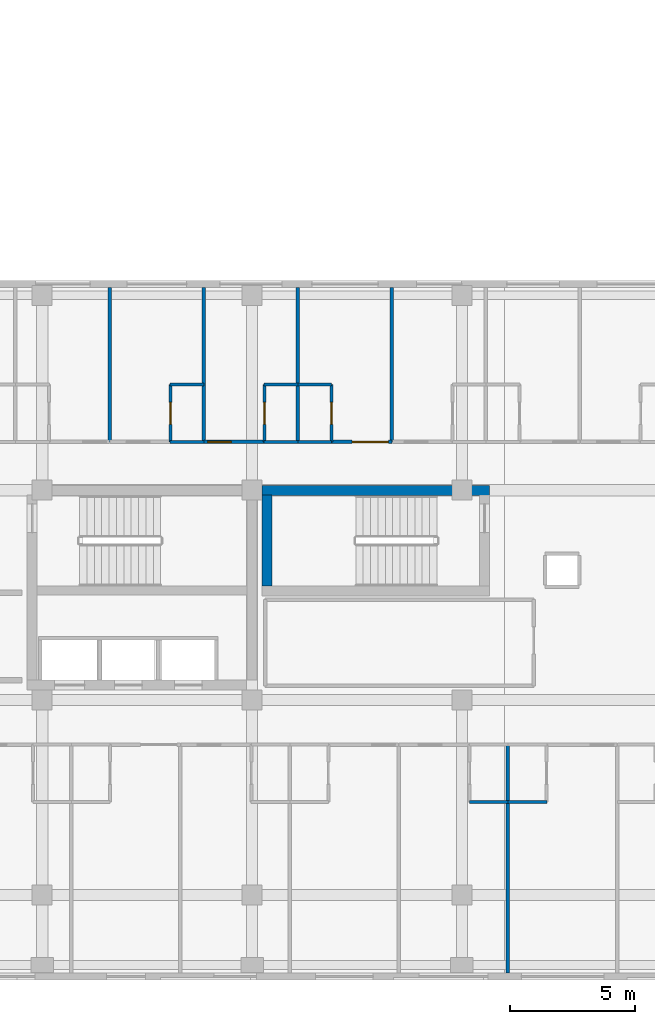
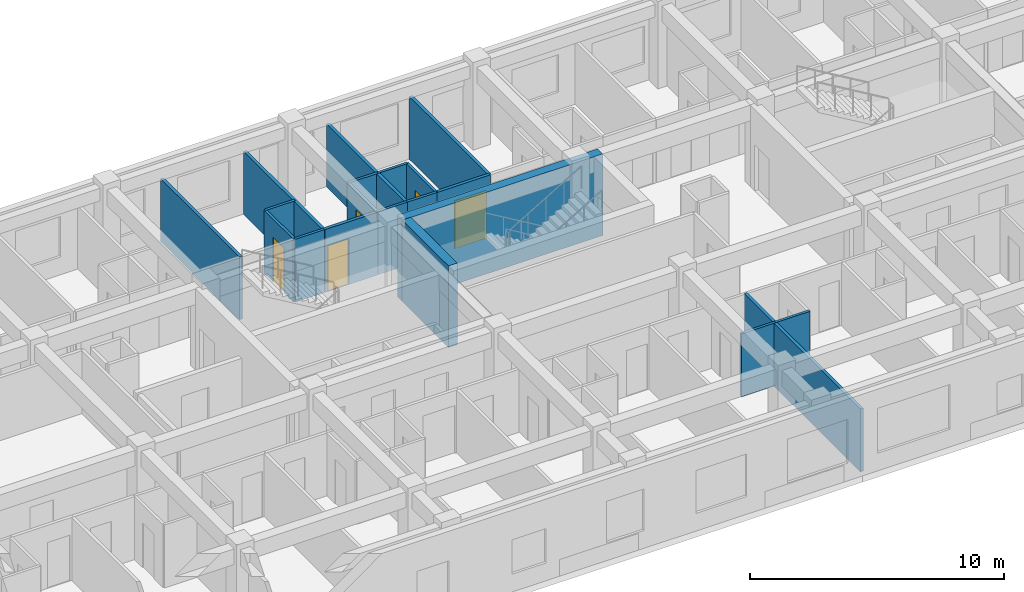
# One storey, part 97 of 127: 20 walls, 5 doors, 5 openings.
"""IFC4 building model written with IfcOpenShell, lengths in metres."""

from ifc_helpers import new_model, si_unit, direction, frame, frame_2d, origin, place, context, subcontext, project, spatial, rectangle, extrude, material, layer, layer_set, type_object, element, fill, save


model = new_model("IFC4")

# Units and contexts
model_context = context("Model", 3, precision=1e-05, world=origin(), true_north=direction((0.0, 1.0)))
body_context = subcontext(model_context, "Body", "Model", "MODEL_VIEW")
ifc_project = project(units=[si_unit("LENGTHUNIT", "METRE"), si_unit("AREAUNIT", "SQUARE_METRE"), si_unit("VOLUMEUNIT", "CUBIC_METRE"), si_unit("PLANEANGLEUNIT", "RADIAN"), si_unit("MASSUNIT", "GRAM", prefix="KILO")], contexts=[model_context])

# Site, building, storey
site_placement = place(None, origin())
site = spatial("IfcSite", under=ifc_project, at=site_placement, CompositionType="ELEMENT")
building_placement = place(site_placement, origin())
building = spatial("IfcBuilding", under=site, at=building_placement, Name="Zayran Congress Hotel", CompositionType="ELEMENT")
storey_placement = place(building_placement, frame((0.0, 0.0, 10.800048828125)))
storey = spatial("IfcBuildingStorey", under=building, at=storey_placement, Name="L02", CompositionType="ELEMENT", Elevation=10.800048828125)

# Walls
ifc_material_1 = material(Name="Concrete C40/50", Category="concrete")
ifc_layer_1 = layer(ifc_material_1, 0.39990234375)
ifc_layer_set_1 = layer_set([ifc_layer_1], Name="Concrete C40/50")
wall_type_1 = type_object("IfcWallType", Name="WL-SH-400", PredefinedType="SHEAR", material=ifc_layer_set_1)
wall_1_placement = place(storey_placement, frame((43.10009765625, 25.5849609375, 0.0), z_axis=(0.0, 0.0, 1.0), x_axis=(-1.0, 0.0, 0.0)))
element("IfcWall", 1, at=wall_1_placement, inside=storey, type_object=wall_type_1, Name="CWALL-C-V5M-L02-N", PredefinedType="SHEAR", context=body_context, shape_type="SweptSolid", body=[
    extrude(rectangle(XDim=9.10009765625, YDim=0.39990234375, at=frame_2d((4.550048828125, 0.0))), origin(), (0.0, 0.0, 1.0), 3.919921875),
])
wall_2_placement = place(storey_placement, frame((34.199951171875, 25.39990234375, 0.0), z_axis=(0.0, 0.0, 1.0), x_axis=(0.0, -1.0, 0.0)))
element("IfcWall", 2, at=wall_2_placement, inside=storey, type_object=wall_type_1, Name="CWALL-C-V5M-L02-W", PredefinedType="SHEAR", context=body_context, shape_type="SweptSolid", body=[
    extrude(rectangle(XDim=3.639892578125, YDim=0.39990234375, at=frame_2d((1.81982421875, 0.0))), origin(), (0.0, 0.0, 1.0), 3.919921875),
])

# Wall, opening, door
ifc_material_2 = material(Name="Hospitality guestroom acoustic partition", Category="gypsum")
ifc_layer_2 = layer(ifc_material_2, 0.139892578125)
ifc_layer_set_2 = layer_set([ifc_layer_2], Name="Hospitality guestroom acoustic partition")
wall_type_2 = type_object("IfcWallType", Name="WL-PT-140", PredefinedType="PARTITIONING", material=ifc_layer_set_2)
wall_3_placement = place(storey_placement, frame((31.68310546875, 27.530029296875, 0.0), z_axis=(0.0, 0.0, 1.0), x_axis=(1.0, 0.0, 0.0)))
wall_3 = element("IfcWall", 3, at=wall_3_placement, inside=storey, type_object=wall_type_2, Name="IW-L02-0540", PredefinedType="PARTITIONING", context=body_context, shape_type="SweptSolid", body=[
    extrude(rectangle(XDim=2.414794921875, YDim=0.139892578125, at=frame_2d((1.20751953125, 0.0))), origin(), (0.0, 0.0, 1.0), 3.02001953125),
])
opening_1_placement = place(wall_3_placement, frame((0.139892578125, 0.0, 0.0)))
opening_1 = element("IfcOpeningElement", 4, at=opening_1_placement, cuts=wall_3, Name="Opening DR-GR-01", PredefinedType="OPENING", context=body_context, shape_type="SweptSolid", body=[
    extrude(rectangle(XDim=0.93994140625, YDim=2.199951171875, at=frame_2d((0.469970703125, 1.10009765625))), frame((0.0, 0.079833984375, 0.0), z_axis=(0.0, -1.0, 0.0), x_axis=(1.0, 0.0, 0.0)), (0.0, 0.0, 1.0), 0.159912109375),
])
ifc_material_3 = material(Name="Acoustic walnut veneer fire-rated entry door", Category="wood")
door_type_1 = type_object("IfcDoorType", Name="TP-DR-GR-01", OperationType="NOTDEFINED", PredefinedType="DOOR", material=ifc_material_3)
door_1_placement = place(opening_1_placement, origin())
door_1 = element("IfcDoor", 5, at=door_1_placement, inside=storey, type_object=door_type_1, Name="Guest Room L02-23 Door", OperationType="SINGLE_SWING_LEFT", OverallHeight=2.199951171875, OverallWidth=0.93994140625, PredefinedType="DOOR", context=body_context, shape_type="SweptSolid", body=[
    extrude(rectangle(XDim=0.93994140625, YDim=2.199951171875, at=frame_2d((0.469970703125, 1.10009765625))), frame((0.0, 0.02490234375, 0.0), z_axis=(0.0, -1.0, 0.0), x_axis=(1.0, 0.0, 0.0)), (0.0, 0.0, 1.0), 0.050048828125),
])
fill(opening_1, door_1)

wall_4_placement = place(storey_placement, frame((36.77587890625, 27.530029296875, 0.0), z_axis=(0.0, 0.0, 1.0), x_axis=(1.0, 0.0, 0.0)))
wall_4 = element("IfcWall", 6, at=wall_4_placement, inside=storey, type_object=wall_type_2, Name="IW-L02-0541", PredefinedType="PARTITIONING", context=body_context, shape_type="SweptSolid", body=[
    extrude(rectangle(XDim=2.4150390625, YDim=0.139892578125, at=frame_2d((1.20751953125, 0.0))), origin(), (0.0, 0.0, 1.0), 3.02001953125),
])
opening_2_placement = place(wall_4_placement, frame((0.824951171875, 0.0, 0.0)))
opening_2 = element("IfcOpeningElement", 7, at=opening_2_placement, cuts=wall_4, Name="Opening DR-ST-01", PredefinedType="OPENING", context=body_context, shape_type="SweptSolid", body=[
    extrude(rectangle(XDim=1.449951171875, YDim=2.300048828125, at=frame_2d((0.72509765625, 1.14990234375))), frame((0.0, 0.079833984375, 0.0), z_axis=(0.0, -1.0, 0.0), x_axis=(1.0, 0.0, 0.0)), (0.0, 0.0, 1.0), 0.159912109375),
])
ifc_material_4 = material(Name="Double walnut veneer suite entry door", Category="wood")
door_type_2 = type_object("IfcDoorType", Name="TP-DR-ST-01", OperationType="DOUBLE_DOOR_SINGLE_SWING", PredefinedType="DOOR", material=ifc_material_4)
door_2_placement = place(opening_2_placement, origin())
door_2 = element("IfcDoor", 8, at=door_2_placement, inside=storey, type_object=door_type_2, Name="Executive Suite L02-24 Door", OperationType="DOUBLE_DOOR_SINGLE_SWING", OverallHeight=2.300048828125, OverallWidth=1.449951171875, PredefinedType="DOOR", context=body_context, shape_type="SweptSolid", body=[
    extrude(rectangle(XDim=1.449951171875, YDim=2.300048828125, at=frame_2d((0.72509765625, 1.14990234375))), frame((0.0, 0.02490234375, 0.0), z_axis=(0.0, -1.0, 0.0), x_axis=(1.0, 0.0, 0.0)), (0.0, 0.0, 1.0), 0.050048828125),
])
fill(opening_2, door_2)

# Walls
wall_5_placement = place(storey_placement, frame((43.8369140625, 6.280029296875, 0.0), z_axis=(0.0, 0.0, 1.0), x_axis=(0.0, 1.0, 0.0)))
element("IfcWall", 9, at=wall_5_placement, inside=storey, type_object=wall_type_2, Name="IW-L02-1839", PredefinedType="PARTITIONING", context=body_context, shape_type="SweptSolid", body=[
    extrude(rectangle(XDim=9.14990234375, YDim=0.139892578125, at=frame_2d((4.574951171875, 0.0))), origin(), (0.0, 0.0, 1.0), 3.02001953125),
])
for number, where, z_axis, x_axis, name in (
    (10, (27.89794921875, 27.52001953125, 0.0), (0.0, 0.0, 1.0), (0.0, 1.0, 0.0), "IW-L02-1853"),
    (11, (31.6630859375, 27.52001953125, 0.0), (0.0, 0.0, 1.0), (0.0, 1.0, 0.0), "IW-L02-1854"),
    (12, (35.427001953125, 27.52001953125, 0.0), (0.0, 0.0, 1.0), (0.0, 1.0, 0.0), "IW-L02-1855"),
    (13, (39.19091796875, 27.52001953125, 0.0), (0.0, 0.0, 1.0), (0.0, 1.0, 0.0), "IW-L02-1856"),
):
    element("IfcWall", number, at=place(storey_placement, frame(where, z_axis=z_axis, x_axis=x_axis)), inside=storey, type_object=wall_type_2, Name=name, PredefinedType="PARTITIONING", context=body_context, shape_type="SweptSolid", body=[
        extrude(rectangle(XDim=6.199951171875, YDim=0.139892578125, at=frame_2d((3.10009765625, 0.0))), origin(), (0.0, 0.0, 1.0), 3.02001953125),
    ])

# Wall, opening, door
ifc_material_5 = material(Name="Moisture-resistant bathroom partition", Category="gypsum")
ifc_layer_3 = layer(ifc_material_5, 0.1201171875)
ifc_layer_set_3 = layer_set([ifc_layer_3], Name="Moisture-resistant bathroom partition")
wall_type_3 = type_object("IfcWallType", Name="WL-PT-120", PredefinedType="PARTITIONING", material=ifc_layer_set_3)
wall_6_placement = place(storey_placement, frame((30.3330078125, 27.52001953125, 0.0), z_axis=(0.0, 0.0, 1.0), x_axis=(0.0, 1.0, 0.0)))
wall_6 = element("IfcWall", 14, at=wall_6_placement, inside=storey, type_object=wall_type_3, Name="IW-L02-0074", PredefinedType="PARTITIONING", context=body_context, shape_type="SweptSolid", body=[
    extrude(rectangle(XDim=2.31005859375, YDim=0.1201171875, at=frame_2d((1.155029296875, 0.0))), origin(), (0.0, 0.0, 1.0), 3.02001953125),
])
opening_3_placement = place(wall_6_placement, frame((0.715087890625, 0.0, 0.0)))
opening_3 = element("IfcOpeningElement", 15, at=opening_3_placement, cuts=wall_6, Name="Opening DR-BT-01", PredefinedType="OPENING", context=body_context, shape_type="SweptSolid", body=[
    extrude(rectangle(XDim=0.8798828125, YDim=2.14990234375, at=frame_2d((0.43994140625, 1.074951171875))), frame((0.0, 0.070068359375, 0.0), z_axis=(0.0, -1.0, 0.0), x_axis=(1.0, 0.0, 0.0)), (0.0, 0.0, 1.0), 0.14013671875),
])
ifc_material_6 = material(Name="Moisture-resistant oak en-suite door", Category="wood")
door_type_3 = type_object("IfcDoorType", Name="TP-DR-BT-01", OperationType="NOTDEFINED", PredefinedType="DOOR", material=ifc_material_6)
door_3_placement = place(opening_3_placement, origin())
door_3 = element("IfcDoor", 16, at=door_3_placement, inside=storey, type_object=door_type_3, Name="En-Suite Bathroom L02-22 Door", OperationType="SINGLE_SWING_LEFT", OverallHeight=2.14990234375, OverallWidth=0.8798828125, PredefinedType="DOOR", context=body_context, shape_type="SweptSolid", body=[
    extrude(rectangle(XDim=0.8798828125, YDim=2.14990234375, at=frame_2d((0.43994140625, 1.074951171875))), frame((0.0, 0.02490234375, 0.0), z_axis=(0.0, -1.0, 0.0), x_axis=(1.0, 0.0, 0.0)), (0.0, 0.0, 1.0), 0.050048828125),
])
fill(opening_3, door_3)

wall_7_placement = place(storey_placement, frame((34.097900390625, 27.52001953125, 0.0), z_axis=(0.0, 0.0, 1.0), x_axis=(0.0, 1.0, 0.0)))
wall_7 = element("IfcWall", 17, at=wall_7_placement, inside=storey, type_object=wall_type_3, Name="IW-L02-0075", PredefinedType="PARTITIONING", context=body_context, shape_type="SweptSolid", body=[
    extrude(rectangle(XDim=2.31005859375, YDim=0.1201171875, at=frame_2d((1.155029296875, 0.0))), origin(), (0.0, 0.0, 1.0), 3.02001953125),
])
opening_4_placement = place(wall_7_placement, frame((0.715087890625, 0.0, 0.0)))
opening_4 = element("IfcOpeningElement", 18, at=opening_4_placement, cuts=wall_7, Name="Opening DR-BT-01", PredefinedType="OPENING", context=body_context, shape_type="SweptSolid", body=[
    extrude(rectangle(XDim=0.8798828125, YDim=2.14990234375, at=frame_2d((0.43994140625, 1.074951171875))), frame((0.0, 0.070068359375, 0.0), z_axis=(0.0, -1.0, 0.0), x_axis=(1.0, 0.0, 0.0)), (0.0, 0.0, 1.0), 0.14013671875),
])
door_4_placement = place(opening_4_placement, origin())
door_4 = element("IfcDoor", 19, at=door_4_placement, inside=storey, type_object=door_type_3, Name="En-Suite Bathroom L02-23 Door", OperationType="SINGLE_SWING_RIGHT", OverallHeight=2.14990234375, OverallWidth=0.8798828125, PredefinedType="DOOR", context=body_context, shape_type="SweptSolid", body=[
    extrude(rectangle(XDim=0.8798828125, YDim=2.14990234375, at=frame_2d((0.43994140625, 1.074951171875))), frame((0.0, 0.02490234375, 0.0), z_axis=(0.0, -1.0, 0.0), x_axis=(1.0, 0.0, 0.0)), (0.0, 0.0, 1.0), 0.050048828125),
])
fill(opening_4, door_4)

wall_8_placement = place(storey_placement, frame((36.77587890625, 27.52001953125, 0.0), z_axis=(0.0, 0.0, 1.0), x_axis=(0.0, 1.0, 0.0)))
wall_8 = element("IfcWall", 20, at=wall_8_placement, inside=storey, type_object=wall_type_3, Name="IW-L02-0076", PredefinedType="PARTITIONING", context=body_context, shape_type="SweptSolid", body=[
    extrude(rectangle(XDim=2.31005859375, YDim=0.1201171875, at=frame_2d((1.155029296875, 0.0))), origin(), (0.0, 0.0, 1.0), 3.02001953125),
])
opening_5_placement = place(wall_8_placement, frame((0.715087890625, 0.0, 0.0)))
opening_5 = element("IfcOpeningElement", 21, at=opening_5_placement, cuts=wall_8, Name="Opening DR-BT-01", PredefinedType="OPENING", context=body_context, shape_type="SweptSolid", body=[
    extrude(rectangle(XDim=0.8798828125, YDim=2.14990234375, at=frame_2d((0.43994140625, 1.074951171875))), frame((0.0, 0.070068359375, 0.0), z_axis=(0.0, -1.0, 0.0), x_axis=(1.0, 0.0, 0.0)), (0.0, 0.0, 1.0), 0.14013671875),
])
door_5_placement = place(opening_5_placement, origin())
door_5 = element("IfcDoor", 22, at=door_5_placement, inside=storey, type_object=door_type_3, Name="En-Suite Bathroom L02-24 Door", OperationType="SINGLE_SWING_LEFT", OverallHeight=2.14990234375, OverallWidth=0.8798828125, PredefinedType="DOOR", context=body_context, shape_type="SweptSolid", body=[
    extrude(rectangle(XDim=0.8798828125, YDim=2.14990234375, at=frame_2d((0.43994140625, 1.074951171875))), frame((0.0, 0.02490234375, 0.0), z_axis=(0.0, -1.0, 0.0), x_axis=(1.0, 0.0, 0.0)), (0.0, 0.0, 1.0), 0.050048828125),
])
fill(opening_5, door_5)

# Walls
wall_9_placement = place(storey_placement, frame((42.298095703125, 13.1298828125, 0.0), z_axis=(0.0, 0.0, 1.0), x_axis=(1.0, 0.0, 0.0)))
element("IfcWall", 23, at=wall_9_placement, inside=storey, type_object=wall_type_3, Name="IW-L02-0987", PredefinedType="PARTITIONING", context=body_context, shape_type="SweptSolid", body=[
    extrude(rectangle(XDim=1.548828125, YDim=0.1201171875, at=frame_2d((0.7744140625, 0.0))), origin(), (0.0, 0.0, 1.0), 3.02001953125),
])
wall_10_placement = place(storey_placement, frame((43.846923828125, 13.1298828125, 0.0), z_axis=(0.0, 0.0, 1.0), x_axis=(1.0, 0.0, 0.0)))
element("IfcWall", 24, at=wall_10_placement, inside=storey, type_object=wall_type_3, Name="IW-L02-0989", PredefinedType="PARTITIONING", context=body_context, shape_type="SweptSolid", body=[
    extrude(rectangle(XDim=1.549072265625, YDim=0.1201171875, at=frame_2d((0.7744140625, 0.0))), origin(), (0.0, 0.0, 1.0), 3.02001953125),
])
for number, where, z_axis, x_axis, name in (
    (25, (30.322998046875, 27.530029296875, 0.0), (0.0, 0.0, 1.0), (1.0, 0.0, 0.0), "IW-L02-1015"),
    (26, (30.322998046875, 29.820068359375, 0.0), (0.0, 0.0, 1.0), (1.0, 0.0, 0.0), "IW-L02-1016"),
):
    element("IfcWall", number, at=place(storey_placement, frame(where, z_axis=z_axis, x_axis=x_axis)), inside=storey, type_object=wall_type_3, Name=name, PredefinedType="PARTITIONING", context=body_context, shape_type="SweptSolid", body=[
        extrude(rectangle(XDim=1.35009765625, YDim=0.1201171875, at=frame_2d((0.675048828125, 0.0))), origin(), (0.0, 0.0, 1.0), 3.02001953125),
    ])
for number, where, z_axis, x_axis, name in (
    (27, (34.087890625, 27.530029296875, 0.0), (0.0, 0.0, 1.0), (1.0, 0.0, 0.0), "IW-L02-1017"),
    (28, (34.087890625, 29.820068359375, 0.0), (0.0, 0.0, 1.0), (1.0, 0.0, 0.0), "IW-L02-1018"),
):
    element("IfcWall", number, at=place(storey_placement, frame(where, z_axis=z_axis, x_axis=x_axis)), inside=storey, type_object=wall_type_3, Name=name, PredefinedType="PARTITIONING", context=body_context, shape_type="SweptSolid", body=[
        extrude(rectangle(XDim=1.34912109375, YDim=0.1201171875, at=frame_2d((0.674560546875, 0.0))), origin(), (0.0, 0.0, 1.0), 3.02001953125),
    ])
for number, where, z_axis, x_axis, name in (
    (29, (35.43701171875, 27.530029296875, 0.0), (0.0, 0.0, 1.0), (1.0, 0.0, 0.0), "IW-L02-1019"),
    (30, (35.43701171875, 29.820068359375, 0.0), (0.0, 0.0, 1.0), (1.0, 0.0, 0.0), "IW-L02-1020"),
):
    element("IfcWall", number, at=place(storey_placement, frame(where, z_axis=z_axis, x_axis=x_axis)), inside=storey, type_object=wall_type_3, Name=name, PredefinedType="PARTITIONING", context=body_context, shape_type="SweptSolid", body=[
        extrude(rectangle(XDim=1.348876953125, YDim=0.1201171875, at=frame_2d((0.67431640625, 0.0))), origin(), (0.0, 0.0, 1.0), 3.02001953125),
    ])

save(model, "model.ifc")
